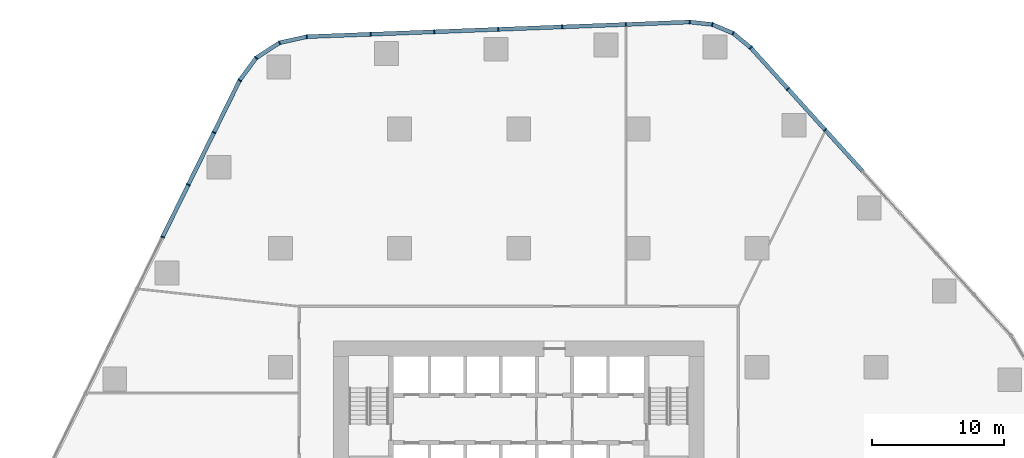
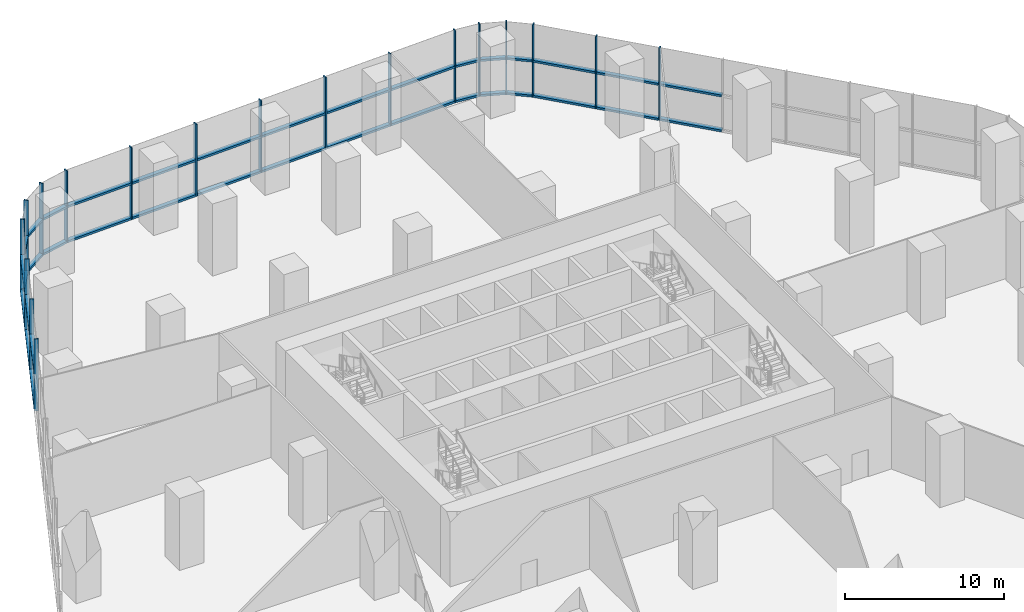
# One storey, part 6 of 15: 54 members, 5 elements without a shape of their own.
"""IFC4 building model written with IfcOpenShell, lengths in metres."""

from ifc_helpers import new_model, si_unit, direction, frame, origin, origin_2d, place, context, subcontext, project, spatial, rectangle, extrude, material, layer, layer_set, material_profile, profile_set, type_object, element, aggregate, save


model = new_model("IFC4")

# Units and contexts
model_context = context("Model", 3, precision=1e-05, world=origin(), true_north=direction((0.0, 1.0)))
body_context = subcontext(model_context, "Body", "Model", "MODEL_VIEW")
ifc_project = project(units=[si_unit("LENGTHUNIT", "METRE"), si_unit("AREAUNIT", "SQUARE_METRE"), si_unit("VOLUMEUNIT", "CUBIC_METRE"), si_unit("PLANEANGLEUNIT", "RADIAN"), si_unit("MASSUNIT", "GRAM", prefix="KILO")], contexts=[model_context])

# Site, building, storey
site_placement = place(None, origin())
site = spatial("IfcSite", under=ifc_project, at=site_placement, CompositionType="ELEMENT")
building_placement = place(site_placement, origin())
building = spatial("IfcBuilding", under=site, at=building_placement, Name="Dongbaek Canopy Tower", CompositionType="ELEMENT")
storey_placement = place(building_placement, frame((0.0, 0.0, 27.0)))
storey = spatial("IfcBuildingStorey", under=building, at=storey_placement, Name="L03", CompositionType="ELEMENT", Elevation=27.0)

# Curtain wall, members
ifc_material_1 = material(Name="Aluminium 6063-T6 pale anodised", Category="aluminium")
ifc_layer = layer(ifc_material_1, 0.300048828125)
ifc_layer_set = layer_set([ifc_layer], Name="CW-2 podium hall curtain wall")
curtain_wall_type = type_object("IfcCurtainWallType", Name="CW-2 podium hall curtain wall", PredefinedType="NOTDEFINED", material=ifc_layer_set)
curtain_wall_1_placement = place(storey_placement, origin())
curtain_wall_1 = element("IfcCurtainWall", 1, at=curtain_wall_1_placement, inside=storey, type_object=curtain_wall_type, Name="CW-2 curtain wall F1.1", PredefinedType="NOTDEFINED")
ifc_material_2 = material(Name="Aluminium 6063-T6 pale anodised", Category="aluminium")
ifc_material_profile_1 = material_profile(ifc_material_2, rectangle(XDim=0.300048828125, YDim=0.080078125, at=origin_2d()), Name="CW-2 mullion 80 x 300")
ifc_profile_set_1 = profile_set([ifc_material_profile_1], Name="Aluminium 6063-T6 pale anodised")
member_type_1 = type_object("IfcMemberType", Name="CW-2 mullion 80 x 300", PredefinedType="MULLION", material=ifc_profile_set_1)
member_1_placement = place(storey_placement, frame((23.153564453125, 26.938232421875, 0.0), z_axis=(0.0, 0.0, 1.0), x_axis=(0.741222236547, 0.671259708345, 0.0)))
member_1 = element("IfcMember", 2, at=member_1_placement, type_object=member_type_1, Name="CW-2 mullion F1.1.6", PredefinedType="MULLION", context=body_context, shape_type="SweptSolid", body=[
    extrude(rectangle(XDim=0.300048828125, YDim=0.080078125, at=origin_2d()), origin(), (0.0, 0.0, 1.0), 5.550048828125),
])
member_2_placement = place(storey_placement, frame((20.33740234375, 30.047607421875, 0.0), z_axis=(0.0, 0.0, 1.0), x_axis=(0.741222236547, 0.671259708345, 0.0)))
member_2 = element("IfcMember", 3, at=member_2_placement, type_object=member_type_1, Name="CW-2 mullion F1.1.7", PredefinedType="MULLION", context=body_context, shape_type="SweptSolid", body=[
    extrude(rectangle(XDim=0.300048828125, YDim=0.080078125, at=origin_2d()), origin(), (0.0, 0.0, 1.0), 5.550048828125),
])
member_3_placement = place(storey_placement, frame((17.5263671875, 33.15185546875, 0.0), z_axis=(0.0, 0.0, 1.0), x_axis=(0.741222236547, 0.671259708345, 0.0)))
member_3 = element("IfcMember", 4, at=member_3_placement, type_object=member_type_1, Name="CW-2 mullion F1.1.8", PredefinedType="MULLION", context=body_context, shape_type="SweptSolid", body=[
    extrude(rectangle(XDim=0.300048828125, YDim=0.080078125, at=origin_2d()), origin(), (0.0, 0.0, 1.0), 5.550048828125),
])

curtain_wall_2_placement = place(storey_placement, origin())
curtain_wall_2 = element("IfcCurtainWall", 5, at=curtain_wall_2_placement, inside=storey, type_object=curtain_wall_type, Name="CW-2 curtain wall K2.1", PredefinedType="NOTDEFINED")
member_4_placement = place(storey_placement, frame((16.200439453125, 34.24462890625, 0.0), z_axis=(0.0, 0.0, 1.0), x_axis=(0.517430788753, 0.855725060315, 0.0)))
member_4 = element("IfcMember", 6, at=member_4_placement, type_object=member_type_1, Name="CW-2 mullion K2.1.2", PredefinedType="MULLION", context=body_context, shape_type="SweptSolid", body=[
    extrude(rectangle(XDim=0.300048828125, YDim=0.080078125, at=origin_2d()), origin(), (0.0, 0.0, 1.0), 5.550048828125),
])
member_5_placement = place(storey_placement, frame((14.62353515625, 34.908203125, 0.0), z_axis=(0.0, 0.0, 1.0), x_axis=(0.250118115276, 0.968215331634, 0.0)))
member_5 = element("IfcMember", 7, at=member_5_placement, type_object=member_type_1, Name="CW-2 mullion K2.1.3", PredefinedType="MULLION", context=body_context, shape_type="SweptSolid", body=[
    extrude(rectangle(XDim=0.300048828125, YDim=0.080078125, at=origin_2d()), origin(), (0.0, 0.0, 1.0), 5.550048828125),
])
member_6_placement = place(storey_placement, frame((12.915283203125, 35.092041015625, 0.0), z_axis=(0.0, 0.0, 1.0), x_axis=(0.107074580622, 0.994250991543, 0.0)))
member_6 = element("IfcMember", 8, at=member_6_placement, type_object=member_type_1, Name="CW-2 mullion K2.1.4", PredefinedType="MULLION", context=body_context, shape_type="SweptSolid", body=[
    extrude(rectangle(XDim=0.300048828125, YDim=0.080078125, at=origin_2d()), origin(), (0.0, 0.0, 1.0), 5.550048828125),
])

curtain_wall_3_placement = place(storey_placement, origin())
curtain_wall_3 = element("IfcCurtainWall", 9, at=curtain_wall_3_placement, inside=storey, type_object=curtain_wall_type, Name="CW-2 curtain wall F2.1", PredefinedType="NOTDEFINED")
member_7_placement = place(storey_placement, frame((8.0986328125, 34.907958984375, 0.0), z_axis=(0.0, 0.0, 1.0), x_axis=(-0.038231975991, 0.999268890746, 0.0)))
member_7 = element("IfcMember", 10, at=member_7_placement, type_object=member_type_1, Name="CW-2 mullion F2.1.2", PredefinedType="MULLION", context=body_context, shape_type="SweptSolid", body=[
    extrude(rectangle(XDim=0.300048828125, YDim=0.080078125, at=origin_2d()), origin(), (0.0, 0.0, 1.0), 5.550048828125),
])
member_8_placement = place(storey_placement, frame((3.27490234375, 34.723388671875, 0.0), z_axis=(0.0, 0.0, 1.0), x_axis=(-0.038231975991, 0.999268890746, 0.0)))
member_8 = element("IfcMember", 11, at=member_8_placement, type_object=member_type_1, Name="CW-2 mullion F2.1.3", PredefinedType="MULLION", context=body_context, shape_type="SweptSolid", body=[
    extrude(rectangle(XDim=0.300048828125, YDim=0.080078125, at=origin_2d()), origin(), (0.0, 0.0, 1.0), 5.550048828125),
])
member_9_placement = place(storey_placement, frame((-1.549072265625, 34.538818359375, 0.0), z_axis=(0.0, 0.0, 1.0), x_axis=(-0.038231975991, 0.999268890746, 0.0)))
member_9 = element("IfcMember", 12, at=member_9_placement, type_object=member_type_1, Name="CW-2 mullion F2.1.4", PredefinedType="MULLION", context=body_context, shape_type="SweptSolid", body=[
    extrude(rectangle(XDim=0.300048828125, YDim=0.080078125, at=origin_2d()), origin(), (0.0, 0.0, 1.0), 5.550048828125),
])
member_10_placement = place(storey_placement, frame((-6.372802734375, 34.354248046875, 0.0), z_axis=(0.0, 0.0, 1.0), x_axis=(-0.038231975991, 0.999268890746, 0.0)))
member_10 = element("IfcMember", 13, at=member_10_placement, type_object=member_type_1, Name="CW-2 mullion F2.1.5", PredefinedType="MULLION", context=body_context, shape_type="SweptSolid", body=[
    extrude(rectangle(XDim=0.300048828125, YDim=0.080078125, at=origin_2d()), origin(), (0.0, 0.0, 1.0), 5.550048828125),
])
member_11_placement = place(storey_placement, frame((-11.19677734375, 34.169677734375, 0.0), z_axis=(0.0, 0.0, 1.0), x_axis=(-0.038231975991, 0.999268890746, 0.0)))
member_11 = element("IfcMember", 14, at=member_11_placement, type_object=member_type_1, Name="CW-2 mullion F2.1.6", PredefinedType="MULLION", context=body_context, shape_type="SweptSolid", body=[
    extrude(rectangle(XDim=0.300048828125, YDim=0.080078125, at=origin_2d()), origin(), (0.0, 0.0, 1.0), 5.550048828125),
])
member_12_placement = place(storey_placement, frame((-16.01171875, 33.9853515625, 0.0), z_axis=(0.0, 0.0, 1.0), x_axis=(-0.038231975991, 0.999268890746, 0.0)))
member_12 = element("IfcMember", 15, at=member_12_placement, type_object=member_type_1, Name="CW-2 mullion F2.1.7", PredefinedType="MULLION", context=body_context, shape_type="SweptSolid", body=[
    extrude(rectangle(XDim=0.300048828125, YDim=0.080078125, at=origin_2d()), origin(), (0.0, 0.0, 1.0), 5.550048828125),
])

curtain_wall_4_placement = place(storey_placement, origin())
curtain_wall_4 = element("IfcCurtainWall", 16, at=curtain_wall_4_placement, inside=storey, type_object=curtain_wall_type, Name="CW-2 curtain wall K3.1", PredefinedType="NOTDEFINED")
member_13_placement = place(storey_placement, frame((-18.07421875, 33.529541015625, 0.0), z_axis=(0.0, 0.0, 1.0), x_axis=(-0.386403140373, 0.92232999144, 0.0)))
member_13 = element("IfcMember", 17, at=member_13_placement, type_object=member_type_1, Name="CW-2 mullion K3.1.2", PredefinedType="MULLION", context=body_context, shape_type="SweptSolid", body=[
    extrude(rectangle(XDim=0.300048828125, YDim=0.080078125, at=origin_2d()), origin(), (0.0, 0.0, 1.0), 5.550048828125),
])
member_14_placement = place(storey_placement, frame((-19.838134765625, 32.384033203125, 0.0), z_axis=(0.0, 0.0, 1.0), x_axis=(-0.685445734799, 0.728123715207, 0.0)))
member_14 = element("IfcMember", 18, at=member_14_placement, type_object=member_type_1, Name="CW-2 mullion K3.1.3", PredefinedType="MULLION", context=body_context, shape_type="SweptSolid", body=[
    extrude(rectangle(XDim=0.300048828125, YDim=0.080078125, at=origin_2d()), origin(), (0.0, 0.0, 1.0), 5.550048828125),
])
member_15_placement = place(storey_placement, frame((-21.093505859375, 30.685302734375, 0.0), z_axis=(0.0, 0.0, 1.0), x_axis=(-0.804277971373, 0.594253266515, 0.0)))
member_15 = element("IfcMember", 19, at=member_15_placement, type_object=member_type_1, Name="CW-2 mullion K3.1.4", PredefinedType="MULLION", context=body_context, shape_type="SweptSolid", body=[
    extrude(rectangle(XDim=0.300048828125, YDim=0.080078125, at=origin_2d()), origin(), (0.0, 0.0, 1.0), 5.550048828125),
])

curtain_wall_5_placement = place(storey_placement, origin())
curtain_wall_5 = element("IfcCurtainWall", 20, at=curtain_wall_5_placement, inside=storey, type_object=curtain_wall_type, Name="CW-2 curtain wall F3.1", PredefinedType="NOTDEFINED")
member_16_placement = place(storey_placement, frame((-23.031005859375, 26.74560546875, 0.0), z_axis=(0.0, 0.0, 1.0), x_axis=(-0.897339166815, 0.441341613378, 0.0)))
member_16 = element("IfcMember", 21, at=member_16_placement, type_object=member_type_1, Name="CW-2 mullion F3.1.2", PredefinedType="MULLION", context=body_context, shape_type="SweptSolid", body=[
    extrude(rectangle(XDim=0.300048828125, YDim=0.080078125, at=origin_2d()), origin(), (0.0, 0.0, 1.0), 5.550048828125),
])
member_17_placement = place(storey_placement, frame((-24.97265625, 22.797607421875, 0.0), z_axis=(0.0, 0.0, 1.0), x_axis=(-0.897339166815, 0.441341613378, 0.0)))
member_17 = element("IfcMember", 22, at=member_17_placement, type_object=member_type_1, Name="CW-2 mullion F3.1.3", PredefinedType="MULLION", context=body_context, shape_type="SweptSolid", body=[
    extrude(rectangle(XDim=0.300048828125, YDim=0.080078125, at=origin_2d()), origin(), (0.0, 0.0, 1.0), 5.550048828125),
])
member_18_placement = place(storey_placement, frame((-26.914306640625, 18.849853515625, 0.0), z_axis=(0.0, 0.0, 1.0), x_axis=(-0.897339166815, 0.441341613378, 0.0)))
member_18 = element("IfcMember", 23, at=member_18_placement, type_object=member_type_1, Name="CW-2 mullion F3.1.4", PredefinedType="MULLION", context=body_context, shape_type="SweptSolid", body=[
    extrude(rectangle(XDim=0.300048828125, YDim=0.080078125, at=origin_2d()), origin(), (0.0, 0.0, 1.0), 5.550048828125),
])

# Member
ifc_material_3 = material(Name="Aluminium 6063-T6 pale anodised", Category="aluminium")
ifc_material_profile_2 = material_profile(ifc_material_3, rectangle(XDim=0.300048828125, YDim=0.159912109375, at=origin_2d()), Name="CW-2 transom 160 x 300")
ifc_profile_set_2 = profile_set([ifc_material_profile_2], Name="Aluminium 6063-T6 pale anodised")
member_type_2 = type_object("IfcMemberType", Name="CW-2 transom 160 x 300", PredefinedType="USERDEFINED", material=ifc_profile_set_2)
member_19_placement = place(storey_placement, frame((25.9345703125, 23.8671875, 0.080078125), z_axis=(-0.671239841945, 0.741240227312, 0.0), x_axis=(-0.741240227312, -0.671239841945, 0.0)))
member_19 = element("IfcMember", 24, at=member_19_placement, type_object=member_type_2, Name="CW-2 transom F1.1.5.1", ObjectType="TRANSOM", PredefinedType="USERDEFINED", context=body_context, shape_type="SweptSolid", body=[
    extrude(rectangle(XDim=0.300048828125, YDim=0.159912109375, at=origin_2d()), origin(), (0.0, 0.0, 1.0), 4.091064453125),
])

member_20_placement = place(storey_placement, frame((25.9345703125, 23.8671875, 2.77490234375), z_axis=(-0.671239841945, 0.741240227312, 0.0), x_axis=(-0.741240227312, -0.671239841945, 0.0)))
member_20 = element("IfcMember", 25, at=member_20_placement, type_object=member_type_2, Name="CW-2 transom F1.1.5.2", ObjectType="TRANSOM", PredefinedType="USERDEFINED", context=body_context, shape_type="SweptSolid", body=[
    extrude(rectangle(XDim=0.300048828125, YDim=0.159912109375, at=origin_2d()), origin(), (0.0, 0.0, 1.0), 4.091064453125),
])

member_21_placement = place(storey_placement, frame((23.11865234375, 26.9765625, 0.080078125), z_axis=(-0.671272628387, 0.741210535798, 0.0), x_axis=(-0.741210535798, -0.671272628387, 0.0)))
member_21 = element("IfcMember", 26, at=member_21_placement, type_object=member_type_2, Name="CW-2 transom F1.1.6.1", ObjectType="TRANSOM", PredefinedType="USERDEFINED", context=body_context, shape_type="SweptSolid", body=[
    extrude(rectangle(XDim=0.300048828125, YDim=0.159912109375, at=origin_2d()), origin(), (0.0, 0.0, 1.0), 4.09130859375),
])

member_22_placement = place(storey_placement, frame((23.11865234375, 26.9765625, 2.77490234375), z_axis=(-0.671272628387, 0.741210535798, 0.0), x_axis=(-0.741210535798, -0.671272628387, 0.0)))
member_22 = element("IfcMember", 27, at=member_22_placement, type_object=member_type_2, Name="CW-2 transom F1.1.6.2", ObjectType="TRANSOM", PredefinedType="USERDEFINED", context=body_context, shape_type="SweptSolid", body=[
    extrude(rectangle(XDim=0.300048828125, YDim=0.159912109375, at=origin_2d()), origin(), (0.0, 0.0, 1.0), 4.09130859375),
])

member_23_placement = place(storey_placement, frame((20.302490234375, 30.086181640625, 0.080078125), z_axis=(-0.671237292693, 0.741242535813, 0.0), x_axis=(-0.741242535813, -0.671237292693, 0.0)))
member_23 = element("IfcMember", 28, at=member_23_placement, type_object=member_type_2, Name="CW-2 transom F1.1.7.1", ObjectType="TRANSOM", PredefinedType="USERDEFINED", context=body_context, shape_type="SweptSolid", body=[
    extrude(rectangle(XDim=0.300048828125, YDim=0.159912109375, at=origin_2d()), origin(), (0.0, 0.0, 1.0), 4.083740234375),
])

member_24_placement = place(storey_placement, frame((20.302490234375, 30.086181640625, 2.77490234375), z_axis=(-0.671237292693, 0.741242535813, 0.0), x_axis=(-0.741242535813, -0.671237292693, 0.0)))
member_24 = element("IfcMember", 29, at=member_24_placement, type_object=member_type_2, Name="CW-2 transom F1.1.7.2", ObjectType="TRANSOM", PredefinedType="USERDEFINED", context=body_context, shape_type="SweptSolid", body=[
    extrude(rectangle(XDim=0.300048828125, YDim=0.159912109375, at=origin_2d()), origin(), (0.0, 0.0, 1.0), 4.083740234375),
])

aggregate(curtain_wall_1, [member_1, member_2, member_3, member_19, member_20, member_21, member_22, member_23, member_24])

member_25_placement = place(storey_placement, frame((17.486083984375, 33.184814453125, 0.080078125), z_axis=(-0.77162012157, 0.636083632857, 0.0), x_axis=(-0.636083632857, -0.77162012157, 0.0)))
member_25 = element("IfcMember", 30, at=member_25_placement, type_object=member_type_2, Name="CW-2 transom K2.1.1.1", ObjectType="TRANSOM", PredefinedType="USERDEFINED", context=body_context, shape_type="SweptSolid", body=[
    extrude(rectangle(XDim=0.300048828125, YDim=0.159912109375, at=origin_2d()), origin(), (0.0, 0.0, 1.0), 1.614013671875),
])

member_26_placement = place(storey_placement, frame((17.486083984375, 33.184814453125, 2.77490234375), z_axis=(-0.77162012157, 0.636083632857, 0.0), x_axis=(-0.636083632857, -0.77162012157, 0.0)))
member_26 = element("IfcMember", 31, at=member_26_placement, type_object=member_type_2, Name="CW-2 transom K2.1.1.2", ObjectType="TRANSOM", PredefinedType="USERDEFINED", context=body_context, shape_type="SweptSolid", body=[
    extrude(rectangle(XDim=0.300048828125, YDim=0.159912109375, at=origin_2d()), origin(), (0.0, 0.0, 1.0), 1.614013671875),
])

member_27_placement = place(storey_placement, frame((16.152587890625, 34.264892578125, 0.080078125), z_axis=(-0.921749747105, 0.387785254634, 0.0), x_axis=(-0.387785254634, -0.921749747105, 0.0)))
member_27 = element("IfcMember", 32, at=member_27_placement, type_object=member_type_2, Name="CW-2 transom K2.1.2.1", ObjectType="TRANSOM", PredefinedType="USERDEFINED", context=body_context, shape_type="SweptSolid", body=[
    extrude(rectangle(XDim=0.300048828125, YDim=0.159912109375, at=origin_2d()), origin(), (0.0, 0.0, 1.0), 1.606689453125),
])

member_28_placement = place(storey_placement, frame((16.152587890625, 34.264892578125, 2.77490234375), z_axis=(-0.921749747105, 0.387785254634, 0.0), x_axis=(-0.387785254634, -0.921749747105, 0.0)))
member_28 = element("IfcMember", 33, at=member_28_placement, type_object=member_type_2, Name="CW-2 transom K2.1.2.2", ObjectType="TRANSOM", PredefinedType="USERDEFINED", context=body_context, shape_type="SweptSolid", body=[
    extrude(rectangle(XDim=0.300048828125, YDim=0.159912109375, at=origin_2d()), origin(), (0.0, 0.0, 1.0), 1.606689453125),
])

member_29_placement = place(storey_placement, frame((14.572021484375, 34.913818359375, 0.080078125), z_axis=(-0.994250644842, 0.107077799901, 0.0), x_axis=(-0.107077799901, -0.994250644842, 0.0)))
member_29 = element("IfcMember", 34, at=member_29_placement, type_object=member_type_2, Name="CW-2 transom K2.1.3.1", ObjectType="TRANSOM", PredefinedType="USERDEFINED", context=body_context, shape_type="SweptSolid", body=[
    extrude(rectangle(XDim=0.300048828125, YDim=0.159912109375, at=origin_2d()), origin(), (0.0, 0.0, 1.0), 1.6142578125),
])

member_30_placement = place(storey_placement, frame((14.572021484375, 34.913818359375, 2.77490234375), z_axis=(-0.994250644842, 0.107077799901, 0.0), x_axis=(-0.107077799901, -0.994250644842, 0.0)))
member_30 = element("IfcMember", 35, at=member_30_placement, type_object=member_type_2, Name="CW-2 transom K2.1.3.2", ObjectType="TRANSOM", PredefinedType="USERDEFINED", context=body_context, shape_type="SweptSolid", body=[
    extrude(rectangle(XDim=0.300048828125, YDim=0.159912109375, at=origin_2d()), origin(), (0.0, 0.0, 1.0), 1.6142578125),
])

aggregate(curtain_wall_2, [member_4, member_5, member_6, member_25, member_26, member_27, member_28, member_29, member_30])

member_31_placement = place(storey_placement, frame((12.86328125, 35.090087890625, 0.080078125), z_axis=(-0.999269942085, -0.038204487243, 0.0), x_axis=(0.038204487243, -0.999269942085, 0.0)))
member_31 = element("IfcMember", 36, at=member_31_placement, type_object=member_type_2, Name="CW-2 transom F2.1.1.1", ObjectType="TRANSOM", PredefinedType="USERDEFINED", context=body_context, shape_type="SweptSolid", body=[
    extrude(rectangle(XDim=0.300048828125, YDim=0.159912109375, at=origin_2d()), origin(), (0.0, 0.0, 1.0), 4.716064453125),
])

member_32_placement = place(storey_placement, frame((12.86328125, 35.090087890625, 2.77490234375), z_axis=(-0.999269942085, -0.038204487243, 0.0), x_axis=(0.038204487243, -0.999269942085, 0.0)))
member_32 = element("IfcMember", 37, at=member_32_placement, type_object=member_type_2, Name="CW-2 transom F2.1.1.2", ObjectType="TRANSOM", PredefinedType="USERDEFINED", context=body_context, shape_type="SweptSolid", body=[
    extrude(rectangle(XDim=0.300048828125, YDim=0.159912109375, at=origin_2d()), origin(), (0.0, 0.0, 1.0), 4.716064453125),
])

member_33_placement = place(storey_placement, frame((8.046875, 34.906005859375, 0.080078125), z_axis=(-0.999268257886, -0.038248513466, 0.0), x_axis=(0.038248513466, -0.999268257886, 0.0)))
member_33 = element("IfcMember", 38, at=member_33_placement, type_object=member_type_2, Name="CW-2 transom F2.1.2.1", ObjectType="TRANSOM", PredefinedType="USERDEFINED", context=body_context, shape_type="SweptSolid", body=[
    extrude(rectangle(XDim=0.300048828125, YDim=0.159912109375, at=origin_2d()), origin(), (0.0, 0.0, 1.0), 4.723388671875),
])

member_34_placement = place(storey_placement, frame((8.046875, 34.906005859375, 2.77490234375), z_axis=(-0.999268257886, -0.038248513466, 0.0), x_axis=(0.038248513466, -0.999268257886, 0.0)))
member_34 = element("IfcMember", 39, at=member_34_placement, type_object=member_type_2, Name="CW-2 transom F2.1.2.2", ObjectType="TRANSOM", PredefinedType="USERDEFINED", context=body_context, shape_type="SweptSolid", body=[
    extrude(rectangle(XDim=0.300048828125, YDim=0.159912109375, at=origin_2d()), origin(), (0.0, 0.0, 1.0), 4.723388671875),
])

member_35_placement = place(storey_placement, frame((3.222900390625, 34.721435546875, 0.080078125), z_axis=(-0.999268257886, -0.038248513466, 0.0), x_axis=(0.038248513466, -0.999268257886, 0.0)))
member_35 = element("IfcMember", 40, at=member_35_placement, type_object=member_type_2, Name="CW-2 transom F2.1.3.1", ObjectType="TRANSOM", PredefinedType="USERDEFINED", context=body_context, shape_type="SweptSolid", body=[
    extrude(rectangle(XDim=0.300048828125, YDim=0.159912109375, at=origin_2d()), origin(), (0.0, 0.0, 1.0), 4.723388671875),
])

member_36_placement = place(storey_placement, frame((3.222900390625, 34.721435546875, 2.77490234375), z_axis=(-0.999268257886, -0.038248513466, 0.0), x_axis=(0.038248513466, -0.999268257886, 0.0)))
member_36 = element("IfcMember", 41, at=member_36_placement, type_object=member_type_2, Name="CW-2 transom F2.1.3.2", ObjectType="TRANSOM", PredefinedType="USERDEFINED", context=body_context, shape_type="SweptSolid", body=[
    extrude(rectangle(XDim=0.300048828125, YDim=0.159912109375, at=origin_2d()), origin(), (0.0, 0.0, 1.0), 4.723388671875),
])

member_37_placement = place(storey_placement, frame((-1.60107421875, 34.536865234375, 0.080078125), z_axis=(-0.999268257886, -0.038248513466, 0.0), x_axis=(0.038248513466, -0.999268257886, 0.0)))
member_37 = element("IfcMember", 42, at=member_37_placement, type_object=member_type_2, Name="CW-2 transom F2.1.4.1", ObjectType="TRANSOM", PredefinedType="USERDEFINED", context=body_context, shape_type="SweptSolid", body=[
    extrude(rectangle(XDim=0.300048828125, YDim=0.159912109375, at=origin_2d()), origin(), (0.0, 0.0, 1.0), 4.723388671875),
])

member_38_placement = place(storey_placement, frame((-1.60107421875, 34.536865234375, 2.77490234375), z_axis=(-0.999268257886, -0.038248513466, 0.0), x_axis=(0.038248513466, -0.999268257886, 0.0)))
member_38 = element("IfcMember", 43, at=member_38_placement, type_object=member_type_2, Name="CW-2 transom F2.1.4.2", ObjectType="TRANSOM", PredefinedType="USERDEFINED", context=body_context, shape_type="SweptSolid", body=[
    extrude(rectangle(XDim=0.300048828125, YDim=0.159912109375, at=origin_2d()), origin(), (0.0, 0.0, 1.0), 4.723388671875),
])

member_39_placement = place(storey_placement, frame((-6.4248046875, 34.352294921875, 0.080078125), z_axis=(-0.999268257886, -0.038248513466, 0.0), x_axis=(0.038248513466, -0.999268257886, 0.0)))
member_39 = element("IfcMember", 44, at=member_39_placement, type_object=member_type_2, Name="CW-2 transom F2.1.5.1", ObjectType="TRANSOM", PredefinedType="USERDEFINED", context=body_context, shape_type="SweptSolid", body=[
    extrude(rectangle(XDim=0.300048828125, YDim=0.159912109375, at=origin_2d()), origin(), (0.0, 0.0, 1.0), 4.723388671875),
])

member_40_placement = place(storey_placement, frame((-6.4248046875, 34.352294921875, 2.77490234375), z_axis=(-0.999268257886, -0.038248513466, 0.0), x_axis=(0.038248513466, -0.999268257886, 0.0)))
member_40 = element("IfcMember", 45, at=member_40_placement, type_object=member_type_2, Name="CW-2 transom F2.1.5.2", ObjectType="TRANSOM", PredefinedType="USERDEFINED", context=body_context, shape_type="SweptSolid", body=[
    extrude(rectangle(XDim=0.300048828125, YDim=0.159912109375, at=origin_2d()), origin(), (0.0, 0.0, 1.0), 4.723388671875),
])

member_41_placement = place(storey_placement, frame((-11.248779296875, 34.167724609375, 0.080078125), z_axis=(-0.999267433808, -0.038270036981, 0.0), x_axis=(0.038270036981, -0.999267433808, 0.0)))
member_41 = element("IfcMember", 46, at=member_41_placement, type_object=member_type_2, Name="CW-2 transom F2.1.6.1", ObjectType="TRANSOM", PredefinedType="USERDEFINED", context=body_context, shape_type="SweptSolid", body=[
    extrude(rectangle(XDim=0.300048828125, YDim=0.159912109375, at=origin_2d()), origin(), (0.0, 0.0, 1.0), 4.71435546875),
])

member_42_placement = place(storey_placement, frame((-11.248779296875, 34.167724609375, 2.77490234375), z_axis=(-0.999267433808, -0.038270036981, 0.0), x_axis=(0.038270036981, -0.999267433808, 0.0)))
member_42 = element("IfcMember", 47, at=member_42_placement, type_object=member_type_2, Name="CW-2 transom F2.1.6.2", ObjectType="TRANSOM", PredefinedType="USERDEFINED", context=body_context, shape_type="SweptSolid", body=[
    extrude(rectangle(XDim=0.300048828125, YDim=0.159912109375, at=origin_2d()), origin(), (0.0, 0.0, 1.0), 4.71435546875),
])

aggregate(curtain_wall_3, [member_7, member_8, member_9, member_10, member_11, member_12, member_31, member_32, member_33, member_34, member_35, member_36, member_37, member_38, member_39, member_40, member_41, member_42])

member_43_placement = place(storey_placement, frame((-16.0625, 33.97412109375, 0.080078125), z_axis=(-0.976440967433, -0.215784700846, 0.0), x_axis=(0.215784700846, -0.976440967433, 0.0)))
member_43 = element("IfcMember", 48, at=member_43_placement, type_object=member_type_2, Name="CW-2 transom K3.1.1.1", ObjectType="TRANSOM", PredefinedType="USERDEFINED", context=body_context, shape_type="SweptSolid", body=[
    extrude(rectangle(XDim=0.300048828125, YDim=0.159912109375, at=origin_2d()), origin(), (0.0, 0.0, 1.0), 2.00830078125),
])

member_44_placement = place(storey_placement, frame((-16.0625, 33.97412109375, 2.77490234375), z_axis=(-0.976440967433, -0.215784700846, 0.0), x_axis=(0.215784700846, -0.976440967433, 0.0)))
member_44 = element("IfcMember", 49, at=member_44_placement, type_object=member_type_2, Name="CW-2 transom K3.1.1.2", ObjectType="TRANSOM", PredefinedType="USERDEFINED", context=body_context, shape_type="SweptSolid", body=[
    extrude(rectangle(XDim=0.300048828125, YDim=0.159912109375, at=origin_2d()), origin(), (0.0, 0.0, 1.0), 2.00830078125),
])

member_45_placement = place(storey_placement, frame((-18.117919921875, 33.501220703125, 0.080078125), z_axis=(-0.838641667451, -0.544683535289, 0.0), x_axis=(0.544683535289, -0.838641667451, 0.0)))
member_45 = element("IfcMember", 50, at=member_45_placement, type_object=member_type_2, Name="CW-2 transom K3.1.2.1", ObjectType="TRANSOM", PredefinedType="USERDEFINED", context=body_context, shape_type="SweptSolid", body=[
    extrude(rectangle(XDim=0.300048828125, YDim=0.159912109375, at=origin_2d()), origin(), (0.0, 0.0, 1.0), 1.9990234375),
])

member_46_placement = place(storey_placement, frame((-18.117919921875, 33.501220703125, 2.77490234375), z_axis=(-0.838641667451, -0.544683535289, 0.0), x_axis=(0.544683535289, -0.838641667451, 0.0)))
member_46 = element("IfcMember", 51, at=member_46_placement, type_object=member_type_2, Name="CW-2 transom K3.1.2.2", ObjectType="TRANSOM", PredefinedType="USERDEFINED", context=body_context, shape_type="SweptSolid", body=[
    extrude(rectangle(XDim=0.300048828125, YDim=0.159912109375, at=origin_2d()), origin(), (0.0, 0.0, 1.0), 1.9990234375),
])

member_47_placement = place(storey_placement, frame((-19.869140625, 32.34228515625, 0.080078125), z_axis=(-0.594226975782, -0.804297396025, 0.0), x_axis=(0.804297396025, -0.594226975782, 0.0)))
member_47 = element("IfcMember", 52, at=member_47_placement, type_object=member_type_2, Name="CW-2 transom K3.1.3.1", ObjectType="TRANSOM", PredefinedType="USERDEFINED", context=body_context, shape_type="SweptSolid", body=[
    extrude(rectangle(XDim=0.300048828125, YDim=0.159912109375, at=origin_2d()), origin(), (0.0, 0.0, 1.0), 2.00830078125),
])

member_48_placement = place(storey_placement, frame((-19.869140625, 32.34228515625, 2.77490234375), z_axis=(-0.594226975782, -0.804297396025, 0.0), x_axis=(0.804297396025, -0.594226975782, 0.0)))
member_48 = element("IfcMember", 53, at=member_48_placement, type_object=member_type_2, Name="CW-2 transom K3.1.3.2", ObjectType="TRANSOM", PredefinedType="USERDEFINED", context=body_context, shape_type="SweptSolid", body=[
    extrude(rectangle(XDim=0.300048828125, YDim=0.159912109375, at=origin_2d()), origin(), (0.0, 0.0, 1.0), 2.00830078125),
])

aggregate(curtain_wall_4, [member_13, member_14, member_15, member_43, member_44, member_45, member_46, member_47, member_48])

member_49_placement = place(storey_placement, frame((-21.116455078125, 30.638671875, 0.080078125), z_axis=(-0.441303114312, -0.897358100927, 0.0), x_axis=(0.897358100927, -0.441303114312, 0.0)))
member_49 = element("IfcMember", 54, at=member_49_placement, type_object=member_type_2, Name="CW-2 transom F3.1.1.1", ObjectType="TRANSOM", PredefinedType="USERDEFINED", context=body_context, shape_type="SweptSolid", body=[
    extrude(rectangle(XDim=0.300048828125, YDim=0.159912109375, at=origin_2d()), origin(), (0.0, 0.0, 1.0), 4.286376953125),
])

member_50_placement = place(storey_placement, frame((-21.116455078125, 30.638671875, 2.77490234375), z_axis=(-0.441303114312, -0.897358100927, 0.0), x_axis=(0.897358100927, -0.441303114312, 0.0)))
member_50 = element("IfcMember", 55, at=member_50_placement, type_object=member_type_2, Name="CW-2 transom F3.1.1.2", ObjectType="TRANSOM", PredefinedType="USERDEFINED", context=body_context, shape_type="SweptSolid", body=[
    extrude(rectangle(XDim=0.300048828125, YDim=0.159912109375, at=origin_2d()), origin(), (0.0, 0.0, 1.0), 4.286376953125),
])

member_51_placement = place(storey_placement, frame((-23.053955078125, 26.69873046875, 0.080078125), z_axis=(-0.441338412406, -0.897340741154, 0.0), x_axis=(0.897340741154, -0.441338412406, 0.0)))
member_51 = element("IfcMember", 56, at=member_51_placement, type_object=member_type_2, Name="CW-2 transom F3.1.2.1", ObjectType="TRANSOM", PredefinedType="USERDEFINED", context=body_context, shape_type="SweptSolid", body=[
    extrude(rectangle(XDim=0.300048828125, YDim=0.159912109375, at=origin_2d()), origin(), (0.0, 0.0, 1.0), 4.29541015625),
])

member_52_placement = place(storey_placement, frame((-23.053955078125, 26.69873046875, 2.77490234375), z_axis=(-0.441338412406, -0.897340741154, 0.0), x_axis=(0.897340741154, -0.441338412406, 0.0)))
member_52 = element("IfcMember", 57, at=member_52_placement, type_object=member_type_2, Name="CW-2 transom F3.1.2.2", ObjectType="TRANSOM", PredefinedType="USERDEFINED", context=body_context, shape_type="SweptSolid", body=[
    extrude(rectangle(XDim=0.300048828125, YDim=0.159912109375, at=origin_2d()), origin(), (0.0, 0.0, 1.0), 4.29541015625),
])

member_53_placement = place(storey_placement, frame((-24.99560546875, 22.7509765625, 0.080078125), z_axis=(-0.441338412406, -0.897340741154, 0.0), x_axis=(0.897340741154, -0.441338412406, 0.0)))
member_53 = element("IfcMember", 58, at=member_53_placement, type_object=member_type_2, Name="CW-2 transom F3.1.3.1", ObjectType="TRANSOM", PredefinedType="USERDEFINED", context=body_context, shape_type="SweptSolid", body=[
    extrude(rectangle(XDim=0.300048828125, YDim=0.159912109375, at=origin_2d()), origin(), (0.0, 0.0, 1.0), 4.29541015625),
])

member_54_placement = place(storey_placement, frame((-24.99560546875, 22.7509765625, 2.77490234375), z_axis=(-0.441338412406, -0.897340741154, 0.0), x_axis=(0.897340741154, -0.441338412406, 0.0)))
member_54 = element("IfcMember", 59, at=member_54_placement, type_object=member_type_2, Name="CW-2 transom F3.1.3.2", ObjectType="TRANSOM", PredefinedType="USERDEFINED", context=body_context, shape_type="SweptSolid", body=[
    extrude(rectangle(XDim=0.300048828125, YDim=0.159912109375, at=origin_2d()), origin(), (0.0, 0.0, 1.0), 4.29541015625),
])

aggregate(curtain_wall_5, [member_16, member_17, member_18, member_49, member_50, member_51, member_52, member_53, member_54])

save(model, "model.ifc")
